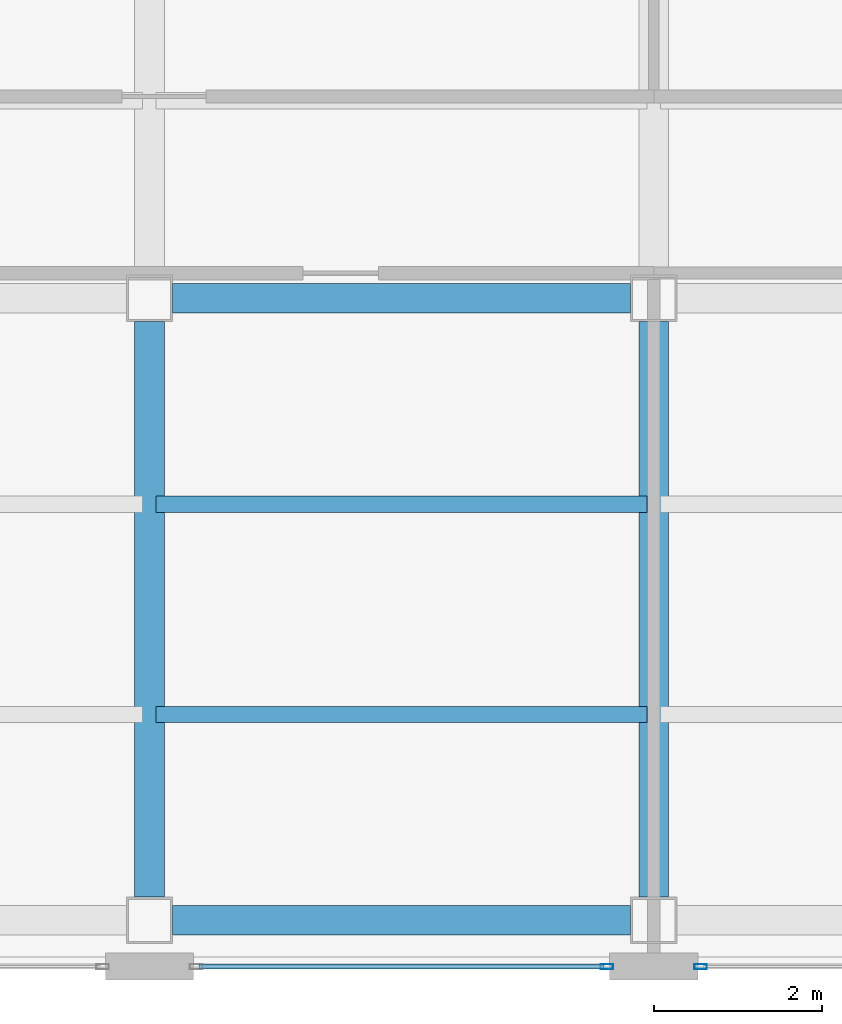
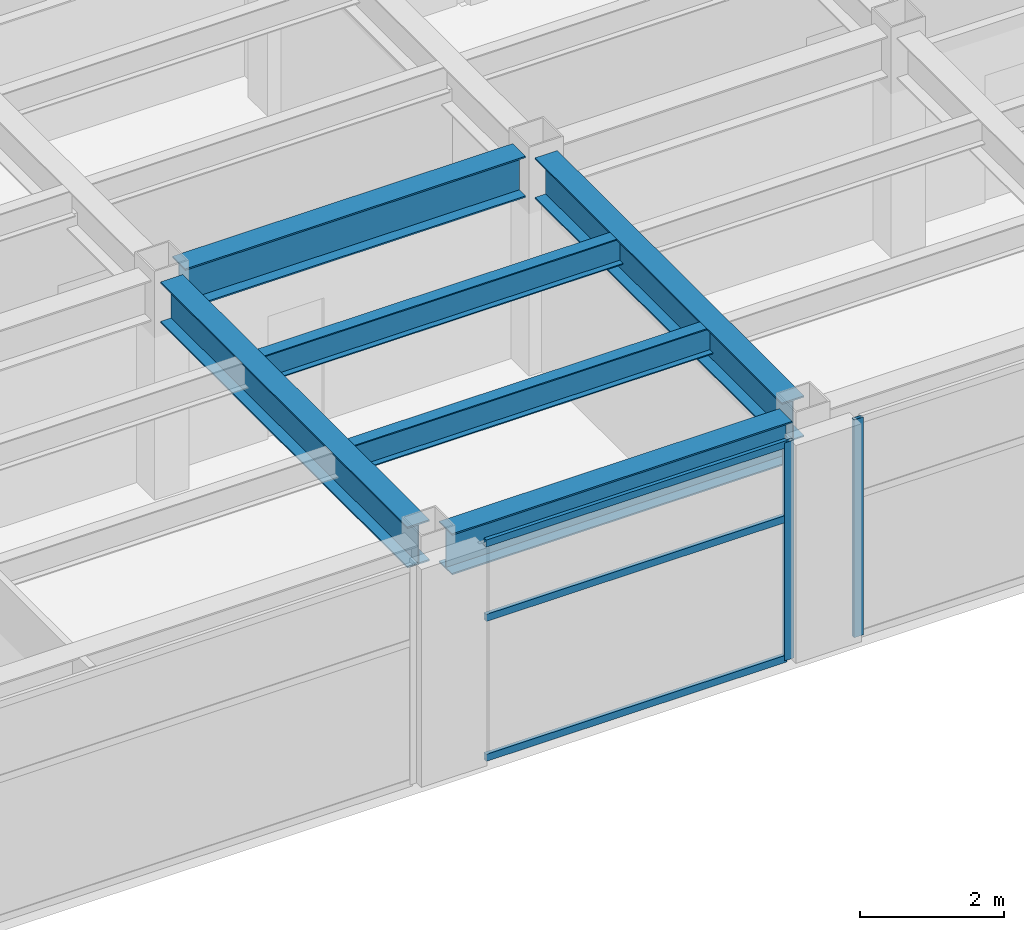
# One storey, part 5 of 16: 6 beams, 5 members, 2 elements without a shape of their own.
"""IFC4 building model written with IfcOpenShell, lengths in metres."""

from ifc_helpers import new_model, si_unit, direction, frame, origin, origin_2d, place, context, subcontext, project, spatial, hollow_rectangle, i_section, extrude, material, layer, layer_set, material_profile, profile_set, type_object, element, aggregate, save


model = new_model("IFC4")

# Units and contexts
model_context = context("Model", 3, precision=1e-05, world=origin(), true_north=direction((0.0, 1.0)))
body_context = subcontext(model_context, "Body", "Model", "MODEL_VIEW")
ifc_project = project(units=[si_unit("LENGTHUNIT", "METRE"), si_unit("AREAUNIT", "SQUARE_METRE"), si_unit("VOLUMEUNIT", "CUBIC_METRE"), si_unit("PLANEANGLEUNIT", "RADIAN"), si_unit("MASSUNIT", "GRAM", prefix="KILO")], contexts=[model_context])

# Site, building, storey
site_placement = place(None, origin())
site = spatial("IfcSite", under=ifc_project, at=site_placement, CompositionType="ELEMENT")
building_placement = place(site_placement, origin())
building = spatial("IfcBuilding", under=site, at=building_placement, Name="Mawjaban Terraces University", CompositionType="ELEMENT")
storey_placement = place(building_placement, frame((0.0, 0.0, 38.800048828125)))
storey = spatial("IfcBuildingStorey", under=building, at=storey_placement, Name="L08", CompositionType="ELEMENT", Elevation=38.800048828125)

# Beams
ifc_material_1 = material(Name="Steel ASTM A572 Grade 50", Category="steel")
ifc_material_profile_1 = material_profile(ifc_material_1, i_section(OverallWidth=0.35498046875, OverallDepth=0.695068359375, WebThickness=0.015380859375, FlangeThickness=0.02490234375, at=origin_2d()), Name="W690X217")
ifc_profile_set_1 = profile_set([ifc_material_profile_1], Name="Steel ASTM A572 Grade 50")
beam_type_1 = type_object("IfcBeamType", Name="Beam_B_W690X217", PredefinedType="BEAM", material=ifc_profile_set_1)
for number, where, z_axis, x_axis, name in (
    (1, (46.27490234375, 0.550048828125, 3.343017578125), (1.0, 0.0, 0.0), (0.0, 1.0, 0.0), "L08 Beam BM-L08-EW-02"),
    (2, (46.27490234375, 7.949951171875, 3.343017578125), (1.0, 0.0, 0.0), (0.0, 1.0, 0.0), "L08 Beam BM-L08-EW-07"),
):
    element("IfcBeam", number, at=place(storey_placement, frame(where, z_axis=z_axis, x_axis=x_axis)), inside=storey, type_object=beam_type_1, Name=name, PredefinedType="BEAM", context=body_context, shape_type="SweptSolid", body=[
        extrude(i_section(OverallWidth=0.35498046875, OverallDepth=0.695068359375, WebThickness=0.015380859375, FlangeThickness=0.02490234375, at=origin_2d()), origin(), (0.0, 0.0, 1.0), 5.4501953125),
    ])
for number, where, z_axis, x_axis, name in (
    (3, (46.0, 0.824951171875, 3.343017578125), (0.0, 1.0, 0.0), (-1.0, 0.0, 0.0), "L08 Beam BM-L08-NS-14"),
    (4, (52.0, 0.824951171875, 3.343017578125), (0.0, 1.0, 0.0), (-1.0, 0.0, 0.0), "L08 Beam BM-L08-NS-16"),
):
    element("IfcBeam", number, at=place(storey_placement, frame(where, z_axis=z_axis, x_axis=x_axis)), inside=storey, type_object=beam_type_1, Name=name, PredefinedType="BEAM", context=body_context, shape_type="SweptSolid", body=[
        extrude(i_section(OverallWidth=0.35498046875, OverallDepth=0.695068359375, WebThickness=0.015380859375, FlangeThickness=0.02490234375, at=origin_2d()), origin(), (0.0, 0.0, 1.0), 6.85009765625),
    ])
ifc_material_profile_2 = material_profile(ifc_material_1, i_section(OverallWidth=0.19189453125, OverallDepth=0.462890625, WebThickness=0.010498046875, FlangeThickness=0.017578125, at=origin_2d()), Name="W460X89")
ifc_profile_set_2 = profile_set([ifc_material_profile_2], Name="Steel ASTM A572 Grade 50")
beam_type_2 = type_object("IfcBeamType", Name="Beam_J_W460X89", PredefinedType="JOIST", material=ifc_profile_set_2)
for number, where, z_axis, x_axis, name in (
    (5, (46.080078125, 3.0, 3.458984375), (1.0, 0.0, 0.0), (0.0, 1.0, 0.0), "L08 Composite Joist JST-L08-02"),
    (6, (46.080078125, 5.5, 3.458984375), (1.0, 0.0, 0.0), (0.0, 1.0, 0.0), "L08 Composite Joist JST-L08-07"),
):
    element("IfcBeam", number, at=place(storey_placement, frame(where, z_axis=z_axis, x_axis=x_axis)), inside=storey, type_object=beam_type_2, Name=name, PredefinedType="JOIST", context=body_context, shape_type="SweptSolid", body=[
        extrude(i_section(OverallWidth=0.19189453125, OverallDepth=0.462890625, WebThickness=0.010498046875, FlangeThickness=0.017578125, at=origin_2d()), origin(), (0.0, 0.0, 1.0), 5.83984375),
    ])

# Curtain wall, member
ifc_material_2 = material(Name="Anodised aluminium 6063-T6 and solar-control low-E glass", Category="aluminium")
ifc_layer = layer(ifc_material_2, 0.1650390625)
ifc_layer_set = layer_set([ifc_layer], Name="Anodised aluminium 6063-T6 and solar-control low-E glass")
curtain_wall_type = type_object("IfcCurtainWallType", Name="CWSystem_04_EastWing", PredefinedType="NOTDEFINED", material=ifc_layer_set)
curtain_wall_1_placement = place(storey_placement, origin())
curtain_wall_1 = element("IfcCurtainWall", 7, at=curtain_wall_1_placement, inside=storey, type_object=curtain_wall_type, Name="L08 Curtain Wall CW-04 Run 1.3", PredefinedType="NOTDEFINED")
ifc_material_3 = material(Name="Anodised aluminium 6063-T6", Category="aluminium")
ifc_material_profile_3 = material_profile(ifc_material_3, hollow_rectangle(XDim=0.06005859375, YDim=0.14990234375, WallThickness=0.00390625, at=origin_2d()), Name="ALU150X60X4")
ifc_profile_set_3 = profile_set([ifc_material_profile_3], Name="Anodised aluminium 6063-T6")
member_type_1 = type_object("IfcMemberType", Name="Mullion_CW-04", PredefinedType="MULLION", material=ifc_profile_set_3)
member_1_placement = place(storey_placement, frame((51.4423828125, 0.0, 0.0), z_axis=(0.0, 0.0, 1.0), x_axis=(0.0, 1.0, 0.0)))
member_1 = element("IfcMember", 8, at=member_1_placement, type_object=member_type_1, Name="CW-04 mullion 2", PredefinedType="MULLION", context=body_context, shape_type="SweptSolid", body=[
    extrude(hollow_rectangle(XDim=0.06005859375, YDim=0.14990234375, WallThickness=0.00390625, at=origin_2d()), origin(), (0.0, 0.0, 1.0), 3.68994140625),
])

curtain_wall_2_placement = place(storey_placement, origin())
curtain_wall_2 = element("IfcCurtainWall", 9, at=curtain_wall_2_placement, inside=storey, type_object=curtain_wall_type, Name="L08 Curtain Wall CW-04 Run 1.4", PredefinedType="NOTDEFINED")
member_2_placement = place(storey_placement, frame((52.5576171875, 0.0, 0.0), z_axis=(0.0, 0.0, 1.0), x_axis=(0.0, 1.0, 0.0)))
member_2 = element("IfcMember", 10, at=member_2_placement, type_object=member_type_1, Name="CW-04 mullion 1", PredefinedType="MULLION", context=body_context, shape_type="SweptSolid", body=[
    extrude(hollow_rectangle(XDim=0.06005859375, YDim=0.14990234375, WallThickness=0.00390625, at=origin_2d()), origin(), (0.0, 0.0, 1.0), 3.68994140625),
])
aggregate(curtain_wall_2, [member_2])

# Member
ifc_material_profile_4 = material_profile(ifc_material_3, hollow_rectangle(XDim=0.06005859375, YDim=0.1201171875, WallThickness=0.00341796875, at=origin_2d()), Name="ALU120X60X3.5")
ifc_profile_set_4 = profile_set([ifc_material_profile_4], Name="Anodised aluminium 6063-T6")
member_type_2 = type_object("IfcMemberType", Name="Transom_CW-04", PredefinedType="NOTDEFINED", material=ifc_profile_set_4)
member_3_placement = place(storey_placement, frame((46.590087890625, 0.0, 0.030029296875), z_axis=(1.0, 0.0, 0.0), x_axis=(0.0, 1.0, 0.0)))
member_3 = element("IfcMember", 11, at=member_3_placement, type_object=member_type_2, Name="CW-04 transom 1.1", ObjectType="TRANSOM", PredefinedType="USERDEFINED", context=body_context, shape_type="SweptSolid", body=[
    extrude(hollow_rectangle(XDim=0.06005859375, YDim=0.1201171875, WallThickness=0.00341796875, at=origin_2d()), origin(), (0.0, 0.0, 1.0), 4.81982421875),
])

member_4_placement = place(storey_placement, frame((46.590087890625, 0.0, 2.39892578125), z_axis=(1.0, 0.0, 0.0), x_axis=(0.0, 1.0, 0.0)))
member_4 = element("IfcMember", 12, at=member_4_placement, type_object=member_type_2, Name="CW-04 transom 1.2", ObjectType="TRANSOM", PredefinedType="USERDEFINED", context=body_context, shape_type="SweptSolid", body=[
    extrude(hollow_rectangle(XDim=0.06005859375, YDim=0.1201171875, WallThickness=0.00341796875, at=origin_2d()), origin(), (0.0, 0.0, 1.0), 4.81982421875),
])

member_5_placement = place(storey_placement, frame((46.590087890625, 0.0, 3.659912109375), z_axis=(1.0, 0.0, 0.0), x_axis=(0.0, 1.0, 0.0)))
member_5 = element("IfcMember", 13, at=member_5_placement, type_object=member_type_2, Name="CW-04 transom 1.3", ObjectType="TRANSOM", PredefinedType="USERDEFINED", context=body_context, shape_type="SweptSolid", body=[
    extrude(hollow_rectangle(XDim=0.06005859375, YDim=0.1201171875, WallThickness=0.00341796875, at=origin_2d()), origin(), (0.0, 0.0, 1.0), 4.81982421875),
])

aggregate(curtain_wall_1, [member_1, member_3, member_4, member_5])

save(model, "model.ifc")
